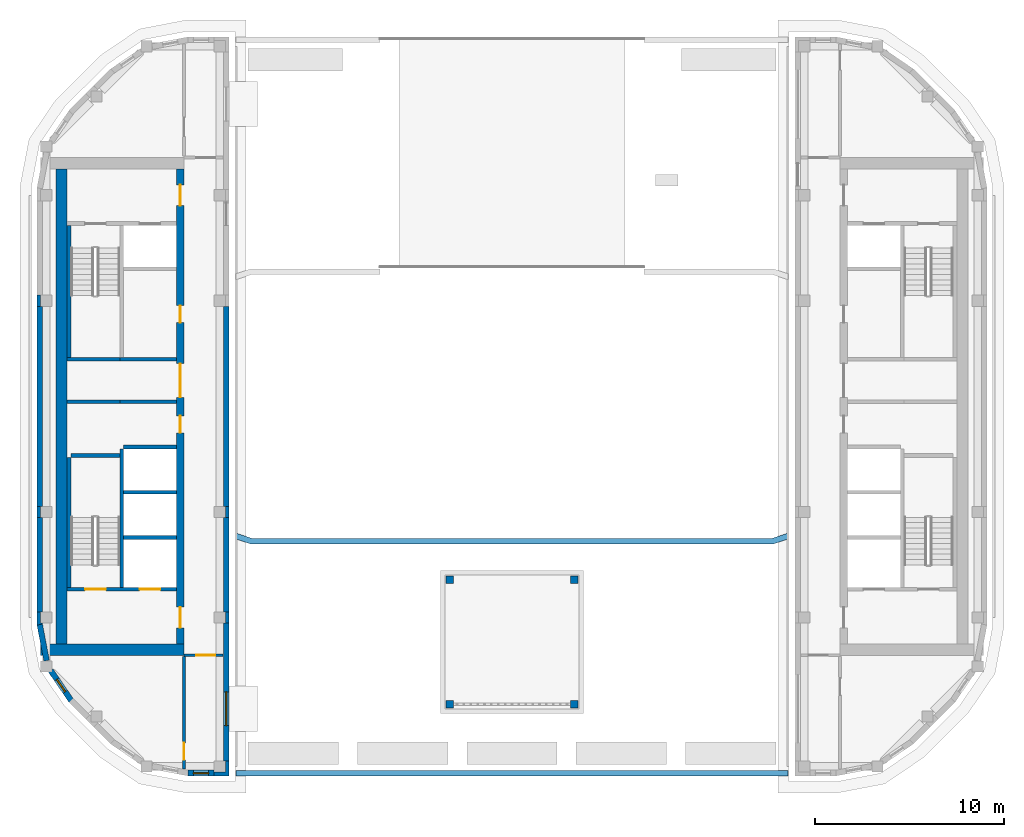
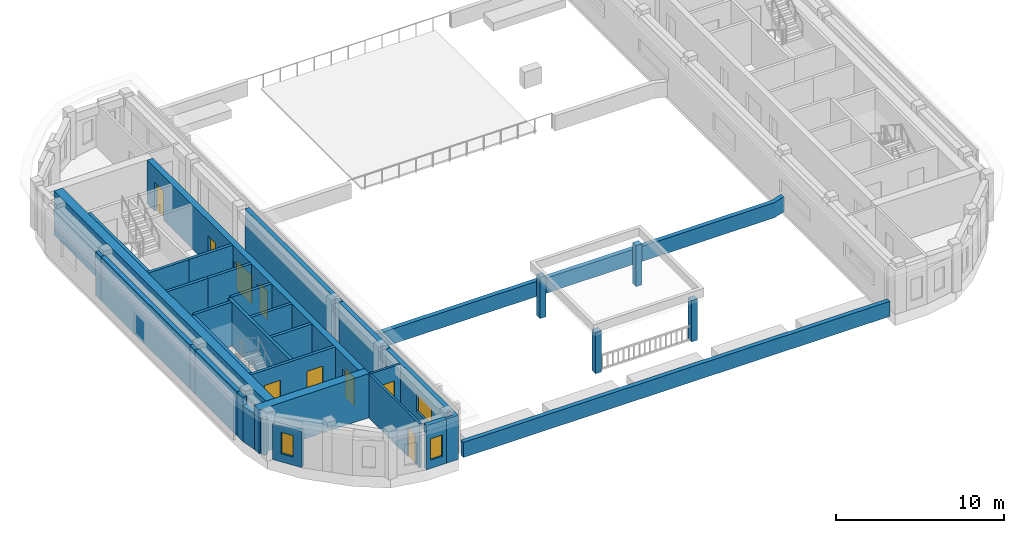
# One storey, part 2 of 14: 37 walls, 9 doors, 3 windows, 12 openings.
"""IFC4 building model written with IfcOpenShell, lengths in metres."""

from ifc_helpers import new_model, si_unit, direction, frame, frame_2d, origin, place, context, subcontext, project, spatial, polyline, rectangle, outline, extrude, material, layer, layer_set, type_object, element, fill, save


model = new_model("IFC4")

# Units and contexts
model_context = context("Model", 3, precision=1e-05, world=origin(), true_north=direction((0.0, 1.0)))
body_context = subcontext(model_context, "Body", "Model", "MODEL_VIEW")
ifc_project = project(units=[si_unit("LENGTHUNIT", "METRE"), si_unit("AREAUNIT", "SQUARE_METRE"), si_unit("VOLUMEUNIT", "CUBIC_METRE"), si_unit("PLANEANGLEUNIT", "RADIAN"), si_unit("MASSUNIT", "GRAM", prefix="KILO")], contexts=[model_context])

# Site, building, storey
site_placement = place(None, origin())
site = spatial("IfcSite", under=ifc_project, at=site_placement, CompositionType="ELEMENT")
building_placement = place(site_placement, origin())
building = spatial("IfcBuilding", under=site, at=building_placement, Name="Kiln Ring Residences", CompositionType="ELEMENT")
storey_placement = place(building_placement, frame((0.0, 0.0, 299.89990234375)))
storey = spatial("IfcBuildingStorey", under=building, at=storey_placement, Name="L77 Crown", CompositionType="ELEMENT", Elevation=299.89990234375)

# Walls
ifc_material_1 = material(Name="Brick masonry, dark clay brick", Category="masonry")
ifc_layer_1 = layer(ifc_material_1, 0.39990234375)
ifc_layer_set_1 = layer_set([ifc_layer_1], Name="CHHATRI POST 400")
wall_type_1 = type_object("IfcWallType", Name="CHHATRI POST 400", PredefinedType="SOLIDWALL", material=ifc_layer_set_1)
placement = place(storey_placement, origin())
element("IfcWall", 1, at=placement, inside=storey, type_object=wall_type_1, Name="CHHATRI POST L77 Crown", PredefinedType="SOLIDWALL", context=body_context, shape_type="SweptSolid", body=[
    extrude(outline(polyline([(-3.10009765625, -16.0), (-3.10009765625, -15.60009765625), (-3.5, -15.60009765625), (-3.5, -16.0), (-3.10009765625, -16.0)])), origin(), (0.0, 0.0, 1.0), 3.0),
])
element("IfcWall", 2, at=placement, inside=storey, type_object=wall_type_1, Name="CHHATRI POST L77 Crown", PredefinedType="SOLIDWALL", context=body_context, shape_type="SweptSolid", body=[
    extrude(outline(polyline([(3.5, -16.0), (3.5, -15.60009765625), (3.10009765625, -15.60009765625), (3.10009765625, -16.0), (3.5, -16.0)])), origin(), (0.0, 0.0, 1.0), 3.0),
])
element("IfcWall", 3, at=placement, inside=storey, type_object=wall_type_1, Name="CHHATRI POST L77 Crown", PredefinedType="SOLIDWALL", context=body_context, shape_type="SweptSolid", body=[
    extrude(outline(polyline([(3.5, -9.39990234375), (3.5, -9.0), (3.10009765625, -9.0), (3.10009765625, -9.39990234375), (3.5, -9.39990234375)])), origin(), (0.0, 0.0, 1.0), 3.0),
])
element("IfcWall", 4, at=placement, inside=storey, type_object=wall_type_1, Name="CHHATRI POST L77 Crown", PredefinedType="SOLIDWALL", context=body_context, shape_type="SweptSolid", body=[
    extrude(outline(polyline([(-3.10009765625, -9.39990234375), (-3.10009765625, -9.0), (-3.5, -9.0), (-3.5, -9.39990234375), (-3.10009765625, -9.39990234375)])), origin(), (0.0, 0.0, 1.0), 3.0),
])
ifc_material_2 = material(Name="Gypsum board on steel studs", Category="steel")
ifc_layer_2 = layer(ifc_material_2, 0.199951171875)
ifc_layer_set_2 = layer_set([ifc_layer_2], Name="CORE-PARTITION-200")
wall_type_2 = type_object("IfcWallType", Name="CORE-PARTITION-200", PredefinedType="PARTITIONING", material=ifc_layer_set_2)
wall_5_placement = place(storey_placement, frame((-20.800048828125, 0.25, 0.0), z_axis=(0.0, 0.0, 1.0), x_axis=(-1.0, 0.0, 0.0)))
element("IfcWall", 5, at=wall_5_placement, inside=storey, type_object=wall_type_2, Name="Core partition west L77 Crown 1", PredefinedType="PARTITIONING", context=body_context, shape_type="SweptSolid", body=[
    extrude(rectangle(XDim=2.800048828125, YDim=0.199951171875, at=frame_2d((1.39990234375, 0.0))), origin(), (0.0, 0.0, 1.0), 3.2001953125),
])
ifc_material_3 = material(Name="Gypsum shaft wall system")
ifc_layer_3 = layer(ifc_material_3, 0.199951171875)
ifc_layer_set_3 = layer_set([ifc_layer_3], Name="CORE-SHAFT-WALL-200")
wall_type_3 = type_object("IfcWallType", Name="CORE-SHAFT-WALL-200", PredefinedType="PARTITIONING", material=ifc_layer_set_3)
for number, where, z_axis, x_axis, name in (
    (6, (-17.800048828125, -6.949951171875, 0.0), (0.0, 0.0, 1.0), (-1.0, 0.0, 0.0), "Core partition west L77 Crown 2"),
    (7, (-17.800048828125, -4.550048828125, 0.0), (0.0, 0.0, 1.0), (-1.0, 0.0, 0.0), "Core partition west L77 Crown 3"),
    (8, (-17.800048828125, -2.14990234375, 0.0), (0.0, 0.0, 1.0), (-1.0, 0.0, 0.0), "Core partition west L77 Crown 4"),
):
    element("IfcWall", number, at=place(storey_placement, frame(where, z_axis=z_axis, x_axis=x_axis)), inside=storey, type_object=wall_type_3, Name=name, PredefinedType="PARTITIONING", context=body_context, shape_type="SweptSolid", body=[
        extrude(rectangle(XDim=2.800048828125, YDim=0.199951171875, at=frame_2d((1.39990234375, 0.0))), origin(), (0.0, 0.0, 1.0), 3.2001953125),
    ])
for number, where, z_axis, x_axis, name in (
    (9, (-17.800048828125, 0.25, 0.0), (0.0, 0.0, 1.0), (-1.0, 0.0, 0.0), "Core partition west L77 Crown 5"),
    (10, (-17.800048828125, 2.5, 0.0), (0.0, 0.0, 1.0), (-1.0, 0.0, 0.0), "Core partition west L77 Crown 6"),
):
    element("IfcWall", number, at=place(storey_placement, frame(where, z_axis=z_axis, x_axis=x_axis)), inside=storey, type_object=wall_type_3, Name=name, PredefinedType="PARTITIONING", context=body_context, shape_type="SweptSolid", body=[
        extrude(rectangle(XDim=3.0, YDim=0.199951171875, at=frame_2d((1.5, 0.0))), origin(), (0.0, 0.0, 1.0), 3.2001953125),
    ])
ifc_material_4 = material(Name="Concrete C40/50", Category="concrete")
ifc_layer_4 = layer(ifc_material_4, 0.199951171875)
ifc_layer_set_4 = layer_set([ifc_layer_4], Name="CORE-WALL-RC200")
wall_type_4 = type_object("IfcWallType", Name="CORE-WALL-RC200", PredefinedType="SHEAR", material=ifc_layer_set_4)
wall_6_placement = place(storey_placement, frame((-20.699951171875, -9.60009765625, 0.0), z_axis=(0.0, 0.0, 1.0), x_axis=(0.0, 1.0, 0.0)))
element("IfcWall", 11, at=wall_6_placement, inside=storey, type_object=wall_type_4, Name="Core wall west L77 Crown 2", PredefinedType="SHEAR", context=body_context, shape_type="SweptSolid", body=[
    extrude(rectangle(XDim=7.35009765625, YDim=0.199951171875, at=frame_2d((3.675048828125, 0.0))), origin(), (0.0, 0.0, 1.0), 3.2001953125),
])
wall_7_placement = place(storey_placement, frame((-20.800048828125, 2.5, 0.0), z_axis=(0.0, 0.0, 1.0), x_axis=(-1.0, 0.0, 0.0)))
element("IfcWall", 12, at=wall_7_placement, inside=storey, type_object=wall_type_4, Name="Core wall west L77 Crown 3", PredefinedType="SHEAR", context=body_context, shape_type="SweptSolid", body=[
    extrude(rectangle(XDim=2.800048828125, YDim=0.199951171875, at=frame_2d((1.39990234375, 0.0))), origin(), (0.0, 0.0, 1.0), 3.2001953125),
])

# Wall, openings, doors
wall_8_placement = place(storey_placement, frame((-17.800048828125, -9.699951171875, 0.0), z_axis=(0.0, 0.0, 1.0), x_axis=(-1.0, 0.0, 0.0)))
wall_8 = element("IfcWall", 13, at=wall_8_placement, inside=storey, type_object=wall_type_4, Name="Core wall west L77 Crown 8", PredefinedType="SHEAR", context=body_context, shape_type="SweptSolid", body=[
    extrude(rectangle(XDim=5.800048828125, YDim=0.199951171875, at=frame_2d((2.89990234375, 0.0))), origin(), (0.0, 0.0, 1.0), 3.2001953125),
])
opening_1_placement = place(wall_8_placement, frame((0.85009765625, 0.0, 0.0)))
opening_1 = element("IfcOpeningElement", 14, at=opening_1_placement, cuts=wall_8, Name="Opening L77-CW01", PredefinedType="OPENING", context=body_context, shape_type="SweptSolid", body=[
    extrude(rectangle(XDim=1.10009765625, YDim=2.10009765625, at=frame_2d((0.550048828125, 1.050048828125))), frame((0.0, 0.10986328125, 0.0), z_axis=(0.0, -1.0, 0.0), x_axis=(1.0, 0.0, 0.0)), (0.0, 0.0, 1.0), 0.219970703125),
])
opening_2_placement = place(wall_8_placement, frame((3.75, 0.0, 0.0)))
opening_2 = element("IfcOpeningElement", 15, at=opening_2_placement, cuts=wall_8, Name="Opening L77-CW08", PredefinedType="OPENING", context=body_context, shape_type="SweptSolid", body=[
    extrude(rectangle(XDim=1.10009765625, YDim=2.10009765625, at=frame_2d((0.550048828125, 1.050048828125))), frame((0.0, 0.10986328125, 0.0), z_axis=(0.0, -1.0, 0.0), x_axis=(1.0, 0.0, 0.0)), (0.0, 0.0, 1.0), 0.219970703125),
])
ifc_material_5 = material(Name="Steel door leaf", Category="steel")
door_type_1 = type_object("IfcDoorType", Name="CORE-DOOR-LD", OperationType="DOUBLE_DOOR_SLIDING", PredefinedType="DOOR", material=ifc_material_5)
door_1_placement = place(opening_1_placement, origin())
door_1 = element("IfcDoor", 16, at=door_1_placement, inside=storey, type_object=door_type_1, Name="LD W-SV L77-CW01", OperationType="DOUBLE_DOOR_SLIDING", OverallHeight=2.10009765625, OverallWidth=1.10009765625, PredefinedType="DOOR", context=body_context, shape_type="SweptSolid", body=[
    extrude(rectangle(XDim=1.10009765625, YDim=2.10009765625, at=frame_2d((0.550048828125, 1.050048828125))), frame((0.0, 0.02490234375, 0.0), z_axis=(0.0, -1.0, 0.0), x_axis=(1.0, 0.0, 0.0)), (0.0, 0.0, 1.0), 0.050048828125),
])
fill(opening_1, door_1)
ifc_material_6 = material(Name="Steel door leaf", Category="steel")
door_type_2 = type_object("IfcDoorType", Name="CORE-DOOR-STAIR", OperationType="SINGLE_SWING_LEFT", PredefinedType="DOOR", material=ifc_material_6)
door_2_placement = place(opening_2_placement, origin())
door_2 = element("IfcDoor", 17, at=door_2_placement, inside=storey, type_object=door_type_2, Name="Stair W-STS L77-CW08", OperationType="SINGLE_SWING_LEFT", OverallHeight=2.10009765625, OverallWidth=1.10009765625, PredefinedType="DOOR", context=body_context, shape_type="SweptSolid", body=[
    extrude(rectangle(XDim=1.10009765625, YDim=2.10009765625, at=frame_2d((0.550048828125, 1.050048828125))), frame((0.0, 0.02490234375, 0.0), z_axis=(0.0, -1.0, 0.0), x_axis=(1.0, 0.0, 0.0)), (0.0, 0.0, 1.0), 0.050048828125),
])
fill(opening_2, door_2)

# Walls
wall_9_placement = place(storey_placement, frame((-23.5, 2.60009765625, 0.0), z_axis=(0.0, 0.0, 1.0), x_axis=(0.0, 1.0, 0.0)))
element("IfcWall", 18, at=wall_9_placement, inside=storey, type_object=wall_type_4, Name="Core wall west L77 Crown 10", PredefinedType="SHEAR", context=body_context, shape_type="SweptSolid", body=[
    extrude(rectangle(XDim=7.0, YDim=0.199951171875, at=frame_2d((3.5, 0.0))), origin(), (0.0, 0.0, 1.0), 3.2001953125),
])
wall_10_placement = place(storey_placement, frame((-23.5, -9.60009765625, 0.0), z_axis=(0.0, 0.0, 1.0), x_axis=(0.0, 1.0, 0.0)))
element("IfcWall", 19, at=wall_10_placement, inside=storey, type_object=wall_type_4, Name="Core wall west L77 Crown 11", PredefinedType="SHEAR", context=body_context, shape_type="SweptSolid", body=[
    extrude(rectangle(XDim=6.900146484375, YDim=0.199951171875, at=frame_2d((3.4501953125, 0.0))), origin(), (0.0, 0.0, 1.0), 3.2001953125),
])
wall_11_placement = place(storey_placement, frame((-20.800048828125, -2.60009765625, 0.0), z_axis=(0.0, 0.0, 1.0), x_axis=(-1.0, 0.0, 0.0)))
element("IfcWall", 20, at=wall_11_placement, inside=storey, type_object=wall_type_4, Name="Core wall west L77 Crown 12", PredefinedType="SHEAR", context=body_context, shape_type="SweptSolid", body=[
    extrude(rectangle(XDim=2.599853515625, YDim=0.199951171875, at=frame_2d((1.2998046875, 0.0))), origin(), (0.0, 0.0, 1.0), 3.2001953125),
])

# Wall, openings, doors
ifc_material_7 = material(Name="Concrete C60/75", Category="concrete")
ifc_layer_5 = layer(ifc_material_7, 0.39990234375)
ifc_layer_set_5 = layer_set([ifc_layer_5], Name="CORE-WALL-RC400")
wall_type_5 = type_object("IfcWallType", Name="CORE-WALL-RC400", PredefinedType="SHEAR", material=ifc_layer_set_5)
wall_12_placement = place(storey_placement, frame((-17.60009765625, -12.60009765625, 0.0), z_axis=(0.0, 0.0, 1.0), x_axis=(0.0, 1.0, 0.0)))
wall_12 = element("IfcWall", 21, at=wall_12_placement, inside=storey, type_object=wall_type_5, Name="Core wall west L77 Crown 6", PredefinedType="SHEAR", context=body_context, shape_type="SweptSolid", body=[
    extrude(rectangle(XDim=25.2001953125, YDim=0.39990234375, at=frame_2d((12.60009765625, 0.0))), origin(), (0.0, 0.0, 1.0), 3.2001953125),
])
opening_3_placement = place(wall_12_placement, frame((11.199951171875, 0.0, 0.0)))
opening_3 = element("IfcOpeningElement", 22, at=opening_3_placement, cuts=wall_12, Name="Opening L77-CW02", PredefinedType="OPENING", context=body_context, shape_type="SweptSolid", body=[
    extrude(rectangle(XDim=0.89990234375, YDim=2.10009765625, at=frame_2d((0.449951171875, 1.050048828125))), frame((0.0, 0.2099609375, 0.0), z_axis=(0.0, -1.0, 0.0), x_axis=(1.0, 0.0, 0.0)), (0.0, 0.0, 1.0), 0.419921875),
])
opening_4_placement = place(wall_12_placement, frame((17.050048828125, 0.0, 0.0)))
opening_4 = element("IfcOpeningElement", 23, at=opening_4_placement, cuts=wall_12, Name="Opening L77-CW03", PredefinedType="OPENING", context=body_context, shape_type="SweptSolid", body=[
    extrude(rectangle(XDim=0.89990234375, YDim=2.10009765625, at=frame_2d((0.449951171875, 1.050048828125))), frame((0.0, 0.2099609375, 0.0), z_axis=(0.0, -1.0, 0.0), x_axis=(1.0, 0.0, 0.0)), (0.0, 0.0, 1.0), 0.419921875),
])
opening_5_placement = place(wall_12_placement, frame((23.25, 0.0, 0.0)))
opening_5 = element("IfcOpeningElement", 24, at=opening_5_placement, cuts=wall_12, Name="Opening L77-CW05", PredefinedType="OPENING", context=body_context, shape_type="SweptSolid", body=[
    extrude(rectangle(XDim=1.10009765625, YDim=2.10009765625, at=frame_2d((0.550048828125, 1.050048828125))), frame((0.0, 0.2099609375, 0.0), z_axis=(0.0, -1.0, 0.0), x_axis=(1.0, 0.0, 0.0)), (0.0, 0.0, 1.0), 0.419921875),
])
opening_6_placement = place(wall_12_placement, frame((0.85009765625, 0.0, 0.0)))
opening_6 = element("IfcOpeningElement", 25, at=opening_6_placement, cuts=wall_12, Name="Opening L77-CW06", PredefinedType="OPENING", context=body_context, shape_type="SweptSolid", body=[
    extrude(rectangle(XDim=1.10009765625, YDim=2.10009765625, at=frame_2d((0.550048828125, 1.050048828125))), frame((0.0, 0.2099609375, 0.0), z_axis=(0.0, -1.0, 0.0), x_axis=(1.0, 0.0, 0.0)), (0.0, 0.0, 1.0), 0.419921875),
])
opening_7_placement = place(wall_12_placement, frame((13.074951171875, 0.0, 0.0)))
opening_7 = element("IfcOpeningElement", 26, at=opening_7_placement, cuts=wall_12, Name="Opening L77-CW09", PredefinedType="OPENING", context=body_context, shape_type="SweptSolid", body=[
    extrude(rectangle(XDim=1.800048828125, YDim=2.10009765625, at=frame_2d((0.89990234375, 1.050048828125))), frame((0.0, 0.2099609375, 0.0), z_axis=(0.0, -1.0, 0.0), x_axis=(1.0, 0.0, 0.0)), (0.0, 0.0, 1.0), 0.419921875),
])
ifc_material_8 = material(Name="Steel door leaf", Category="steel")
door_type_3 = type_object("IfcDoorType", Name="CORE-DOOR-LOBBY", OperationType="SINGLE_SWING_LEFT", PredefinedType="DOOR", material=ifc_material_8)
door_3_placement = place(opening_5_placement, origin())
door_3 = element("IfcDoor", 27, at=door_3_placement, inside=storey, type_object=door_type_3, Name="FFL L77-CW05", OperationType="SINGLE_SWING_RIGHT", OverallHeight=2.10009765625, OverallWidth=1.10009765625, PredefinedType="DOOR", context=body_context, shape_type="SweptSolid", body=[
    extrude(rectangle(XDim=1.10009765625, YDim=2.10009765625, at=frame_2d((0.550048828125, 1.050048828125))), frame((0.0, 0.02490234375, 0.0), z_axis=(0.0, -1.0, 0.0), x_axis=(1.0, 0.0, 0.0)), (0.0, 0.0, 1.0), 0.050048828125),
])
fill(opening_5, door_3)
door_4_placement = place(opening_6_placement, origin())
door_4 = element("IfcDoor", 28, at=door_4_placement, inside=storey, type_object=door_type_3, Name="SVL L77-CW06", OperationType="SINGLE_SWING_LEFT", OverallHeight=2.10009765625, OverallWidth=1.10009765625, PredefinedType="DOOR", context=body_context, shape_type="SweptSolid", body=[
    extrude(rectangle(XDim=1.10009765625, YDim=2.10009765625, at=frame_2d((0.550048828125, 1.050048828125))), frame((0.0, 0.02490234375, 0.0), z_axis=(0.0, -1.0, 0.0), x_axis=(1.0, 0.0, 0.0)), (0.0, 0.0, 1.0), 0.050048828125),
])
fill(opening_6, door_4)
ifc_material_9 = material(Name="Steel door leaf", Category="steel")
door_type_4 = type_object("IfcDoorType", Name="CORE-DOOR-PASS", OperationType="DOUBLE_DOOR_SINGLE_SWING", PredefinedType="DOOR", material=ifc_material_9)
door_5_placement = place(opening_7_placement, origin())
door_5 = element("IfcDoor", 29, at=door_5_placement, inside=storey, type_object=door_type_4, Name="Core passage L77-CW09", OperationType="DOUBLE_DOOR_SINGLE_SWING", OverallHeight=2.10009765625, OverallWidth=1.800048828125, PredefinedType="DOOR", context=body_context, shape_type="SweptSolid", body=[
    extrude(rectangle(XDim=1.800048828125, YDim=2.10009765625, at=frame_2d((0.89990234375, 1.050048828125))), frame((0.0, 0.02490234375, 0.0), z_axis=(0.0, -1.0, 0.0), x_axis=(1.0, 0.0, 0.0)), (0.0, 0.0, 1.0), 0.050048828125),
])
fill(opening_7, door_5)
ifc_material_10 = material(Name="Steel door leaf", Category="steel")
door_type_5 = type_object("IfcDoorType", Name="CORE-DOOR-ROOM", OperationType="SINGLE_SWING_LEFT", PredefinedType="DOOR", material=ifc_material_10)
door_6_placement = place(opening_3_placement, origin())
door_6 = element("IfcDoor", 30, at=door_6_placement, inside=storey, type_object=door_type_5, Name="Store L77-CW02", OperationType="SINGLE_SWING_RIGHT", OverallHeight=2.10009765625, OverallWidth=0.89990234375, PredefinedType="DOOR", context=body_context, shape_type="SweptSolid", body=[
    extrude(rectangle(XDim=0.89990234375, YDim=2.10009765625, at=frame_2d((0.449951171875, 1.050048828125))), frame((0.0, 0.02490234375, 0.0), z_axis=(0.0, -1.0, 0.0), x_axis=(1.0, 0.0, 0.0)), (0.0, 0.0, 1.0), 0.050048828125),
])
fill(opening_3, door_6)
door_7_placement = place(opening_4_placement, origin())
door_7 = element("IfcDoor", 31, at=door_7_placement, inside=storey, type_object=door_type_5, Name="Housekeeping store L77-CW03", OperationType="SINGLE_SWING_LEFT", OverallHeight=2.10009765625, OverallWidth=0.89990234375, PredefinedType="DOOR", context=body_context, shape_type="SweptSolid", body=[
    extrude(rectangle(XDim=0.89990234375, YDim=2.10009765625, at=frame_2d((0.449951171875, 1.050048828125))), frame((0.0, 0.02490234375, 0.0), z_axis=(0.0, -1.0, 0.0), x_axis=(1.0, 0.0, 0.0)), (0.0, 0.0, 1.0), 0.050048828125),
])
fill(opening_4, door_7)

# Walls
ifc_material_11 = material(Name="Concrete C60/75", Category="concrete")
ifc_layer_6 = layer(ifc_material_11, 0.60009765625)
ifc_layer_set_6 = layer_set([ifc_layer_6], Name="CORE-WALL-RC600")
wall_type_6 = type_object("IfcWallType", Name="CORE-WALL-RC600", PredefinedType="SHEAR", material=ifc_layer_set_6)
wall_13_placement = place(storey_placement, frame((-17.39990234375, -12.89990234375, 0.0), z_axis=(0.0, 0.0, 1.0), x_axis=(-1.0, 0.0, 0.0)))
element("IfcWall", 32, at=wall_13_placement, inside=storey, type_object=wall_type_6, Name="Core wall west L77 Crown 5", PredefinedType="SHEAR", context=body_context, shape_type="SweptSolid", body=[
    extrude(rectangle(XDim=7.60009765625, YDim=0.60009765625, at=frame_2d((3.800048828125, 0.0))), origin(), (0.0, 0.0, 1.0), 3.2001953125),
])
wall_14_placement = place(storey_placement, frame((-23.89990234375, -12.60009765625, 0.0), z_axis=(0.0, 0.0, 1.0), x_axis=(0.0, 1.0, 0.0)))
element("IfcWall", 33, at=wall_14_placement, inside=storey, type_object=wall_type_6, Name="Core wall west L77 Crown 7", PredefinedType="SHEAR", context=body_context, shape_type="SweptSolid", body=[
    extrude(rectangle(XDim=25.2001953125, YDim=0.60009765625, at=frame_2d((12.60009765625, 0.0))), origin(), (0.0, 0.0, 1.0), 3.2001953125),
])

# Wall, opening, window
ifc_material_12 = material(Name="Brick masonry, dark clay brick", Category="masonry")
ifc_layer_7 = layer(ifc_material_12, 0.300048828125)
ifc_layer_set_7 = layer_set([ifc_layer_7], Name="EW-300 BRICK WALL")
wall_type_7 = type_object("IfcWallType", Name="EW-300 BRICK WALL", PredefinedType="SOLIDWALL", material=ifc_layer_set_7)
wall_15_placement = place(storey_placement, frame((-17.199951171875, -19.449951171875, 0.0), z_axis=(0.0, 0.0, 1.0), x_axis=(1.0, 0.0, 0.0)))
wall_15 = element("IfcWall", 34, at=wall_15_placement, inside=storey, type_object=wall_type_7, Name="Facade wall L77 Crown 3", PredefinedType="SOLIDWALL", context=body_context, shape_type="SweptSolid", body=[
    extrude(rectangle(XDim=1.39990234375, YDim=0.300048828125, at=frame_2d((0.699951171875, 0.0))), origin(), (0.0, 0.0, 1.0), 3.2001953125),
])
opening_8_placement = place(wall_15_placement, frame((0.300048828125, 0.0, 0.60009765625)))
opening_8 = element("IfcOpeningElement", 35, at=opening_8_placement, cuts=wall_15, Name="Opening W5", PredefinedType="OPENING", context=body_context, shape_type="SweptSolid", body=[
    extrude(rectangle(XDim=0.800048828125, YDim=1.550048828125, at=frame_2d((0.39990234375, 0.77490234375))), frame((0.0, 0.159912109375, 0.0), z_axis=(0.0, -1.0, 0.0), x_axis=(1.0, 0.0, 0.0)), (0.0, 0.0, 1.0), 0.320068359375),
])
ifc_material_13 = material(Name="Aluminium frame with double glazing", Category="aluminium")
window_type_1 = type_object("IfcWindowType", Name="WINDOW 800 x 1550", PartitioningType="SINGLE_PANEL", PredefinedType="WINDOW", material=ifc_material_13)
window_1_placement = place(opening_8_placement, origin())
window_1 = element("IfcWindow", 36, at=window_1_placement, inside=storey, type_object=window_type_1, Name="Window L77 Crown 3", OverallHeight=1.550048828125, OverallWidth=0.800048828125, PartitioningType="SINGLE_PANEL", PredefinedType="WINDOW", context=body_context, shape_type="SweptSolid", body=[
    extrude(rectangle(XDim=0.800048828125, YDim=1.550048828125, at=frame_2d((0.39990234375, 0.77490234375))), frame((0.0, 0.030029296875, 0.0), z_axis=(0.0, -1.0, 0.0), x_axis=(1.0, 0.0, 0.0)), (0.0, 0.0, 1.0), 0.06005859375),
])
fill(opening_8, window_1)

wall_16_placement = place(storey_placement, frame((-15.14990234375, -18.800048828125, 0.0), z_axis=(0.0, 0.0, 1.0), x_axis=(0.0, 1.0, 0.0)))
wall_16 = element("IfcWall", 37, at=wall_16_placement, inside=storey, type_object=wall_type_7, Name="Facade wall L77 Crown 4", PredefinedType="SOLIDWALL", context=body_context, shape_type="SweptSolid", body=[
    extrude(rectangle(XDim=7.300048828125, YDim=0.300048828125, at=frame_2d((3.64990234375, 0.0))), origin(), (0.0, 0.0, 1.0), 3.2001953125),
])
opening_9_placement = place(wall_16_placement, frame((1.862548828125, 0.0, 0.89990234375)))
opening_9 = element("IfcOpeningElement", 38, at=opening_9_placement, cuts=wall_16, Name="Opening W2", PredefinedType="OPENING", context=body_context, shape_type="SweptSolid", body=[
    extrude(rectangle(XDim=1.800048828125, YDim=1.25, at=frame_2d((0.89990234375, 0.625))), frame((0.0, 0.159912109375, 0.0), z_axis=(0.0, -1.0, 0.0), x_axis=(1.0, 0.0, 0.0)), (0.0, 0.0, 1.0), 0.320068359375),
])
ifc_material_14 = material(Name="Aluminium frame with double glazing", Category="aluminium")
window_type_2 = type_object("IfcWindowType", Name="WINDOW 1800 x 1250", PartitioningType="SINGLE_PANEL", PredefinedType="WINDOW", material=ifc_material_14)
window_2_placement = place(opening_9_placement, origin())
window_2 = element("IfcWindow", 39, at=window_2_placement, inside=storey, type_object=window_type_2, Name="Window L77 Crown 4", OverallHeight=1.25, OverallWidth=1.800048828125, PartitioningType="SINGLE_PANEL", PredefinedType="WINDOW", context=body_context, shape_type="SweptSolid", body=[
    extrude(rectangle(XDim=1.800048828125, YDim=1.25, at=frame_2d((0.89990234375, 0.625))), frame((0.0, 0.030029296875, 0.0), z_axis=(0.0, -1.0, 0.0), x_axis=(1.0, 0.0, 0.0)), (0.0, 0.0, 1.0), 0.06005859375),
])
fill(opening_9, window_2)

# Walls
wall_17_placement = place(storey_placement, frame((-15.14990234375, -10.89990234375, 0.0), z_axis=(0.0, 0.0, 1.0), x_axis=(0.0, 1.0, 0.0)))
element("IfcWall", 40, at=wall_17_placement, inside=storey, type_object=wall_type_7, Name="Facade wall L77 Crown 5", PredefinedType="SOLIDWALL", context=body_context, shape_type="SweptSolid", body=[
    extrude(rectangle(XDim=5.0, YDim=0.300048828125, at=frame_2d((2.5, 0.0))), origin(), (0.0, 0.0, 1.0), 3.2001953125),
])
for number, where, z_axis, x_axis, name in (
    (41, (-15.14990234375, -5.300048828125, 0.0), (0.0, 0.0, 1.0), (0.0, 1.0, 0.0), "Facade wall L77 Crown 6"),
    (42, (-25.050048828125, 5.300048828125, 0.0), (0.0, 0.0, 1.0), (0.0, -1.0, 0.0), "Facade wall L77 Crown 17"),
):
    element("IfcWall", number, at=place(storey_placement, frame(where, z_axis=z_axis, x_axis=x_axis)), inside=storey, type_object=wall_type_7, Name=name, PredefinedType="SOLIDWALL", context=body_context, shape_type="SweptSolid", body=[
        extrude(rectangle(XDim=10.60009765625, YDim=0.300048828125, at=frame_2d((5.300048828125, 0.0))), origin(), (0.0, 0.0, 1.0), 3.2001953125),
    ])
wall_18_placement = place(storey_placement, frame((-25.050048828125, -5.89990234375, 0.0), z_axis=(0.0, 0.0, 1.0), x_axis=(0.0, -1.0, 0.0)))
element("IfcWall", 43, at=wall_18_placement, inside=storey, type_object=wall_type_7, Name="Facade wall L77 Crown 18", PredefinedType="SOLIDWALL", context=body_context, shape_type="SweptSolid", body=[
    extrude(rectangle(XDim=5.0, YDim=0.300048828125, at=frame_2d((2.5, 0.0))), origin(), (0.0, 0.0, 1.0), 3.2001953125),
])
wall_19_placement = place(storey_placement, frame((-25.052490234375, -11.57275390625, 0.0), z_axis=(0.0, 0.0, 1.0), x_axis=(0.187354129902, -0.982292436095, 0.0)))
element("IfcWall", 44, at=wall_19_placement, inside=storey, type_object=wall_type_7, Name="Facade wall L77 Crown 19", PredefinedType="SOLIDWALL", context=body_context, shape_type="SweptSolid", body=[
    extrude(rectangle(XDim=1.94677734375, YDim=0.300048828125, at=frame_2d((0.973388671875, 0.0))), origin(), (0.0, 0.0, 1.0), 2.60009765625),
])

# Wall, opening, window
wall_20_placement = place(storey_placement, frame((-24.4736328125, -14.001708984375, 0.0), z_axis=(0.0, 0.0, 1.0), x_axis=(0.562025435703, -0.827119948752, 0.0)))
wall_20 = element("IfcWall", 45, at=wall_20_placement, inside=storey, type_object=wall_type_7, Name="Facade wall L77 Crown 20", PredefinedType="SOLIDWALL", context=body_context, shape_type="SweptSolid", body=[
    extrude(rectangle(XDim=1.94775390625, YDim=0.300048828125, at=frame_2d((0.973876953125, 0.0))), origin(), (0.0, 0.0, 1.0), 2.60009765625),
])
opening_10_placement = place(wall_20_placement, frame((0.573974609375, 0.0, 0.60009765625)))
opening_10 = element("IfcOpeningElement", 46, at=opening_10_placement, cuts=wall_20, Name="Opening W5", PredefinedType="OPENING", context=body_context, shape_type="SweptSolid", body=[
    extrude(rectangle(XDim=0.800048828125, YDim=1.550048828125, at=frame_2d((0.39990234375, 0.77490234375))), frame((0.0, 0.159912109375, 0.0), z_axis=(0.0, -1.0, 0.0), x_axis=(1.0, 0.0, 0.0)), (0.0, 0.0, 1.0), 0.320068359375),
])
window_3_placement = place(opening_10_placement, origin())
window_3 = element("IfcWindow", 47, at=window_3_placement, inside=storey, type_object=window_type_1, Name="Window L77 Crown 10", OverallHeight=1.550048828125, OverallWidth=0.800048828125, PartitioningType="SINGLE_PANEL", PredefinedType="WINDOW", context=body_context, shape_type="SweptSolid", body=[
    extrude(rectangle(XDim=0.800048828125, YDim=1.550048828125, at=frame_2d((0.39990234375, 0.77490234375))), frame((0.0, 0.030029296875, 0.0), z_axis=(0.0, -1.0, 0.0), x_axis=(1.0, 0.0, 0.0)), (0.0, 0.0, 1.0), 0.06005859375),
])
fill(opening_10, window_3)

# Walls
element("IfcWall", 48, at=placement, inside=storey, type_object=wall_type_7, Name="Corner wall L77 Crown 1", PredefinedType="SOLIDWALL", context=body_context, shape_type="SweptSolid", body=[
    extrude(outline(polyline([(-25.199951171875, -10.89990234375), (-25.199951171875, -11.600830078125), (-24.9033203125, -11.544189453125), (-24.89990234375, -11.56103515625), (-24.89990234375, -11.5), (-25.0, -11.5), (-25.0, -10.89990234375), (-25.199951171875, -10.89990234375)])), origin(), (0.0, 0.0, 1.0), 3.2001953125),
])
element("IfcWall", 49, at=placement, inside=storey, type_object=wall_type_7, Name="Corner wall L77 Crown 2", PredefinedType="SOLIDWALL", context=body_context, shape_type="SweptSolid", body=[
    extrude(outline(polyline([(-25.0, -5.300048828125), (-25.199951171875, -5.300048828125), (-25.199951171875, -5.89990234375), (-24.89990234375, -5.89990234375), (-25.0, -5.89990234375), (-25.0, -5.300048828125)])), origin(), (0.0, 0.0, 1.0), 3.2001953125),
])
element("IfcWall", 50, at=placement, inside=storey, type_object=wall_type_7, Name="Corner wall L77 Crown 3", PredefinedType="SOLIDWALL", context=body_context, shape_type="SweptSolid", body=[
    extrude(outline(polyline([(-25.0, 5.89990234375), (-25.199951171875, 5.89990234375), (-25.199951171875, 5.300048828125), (-25.0, 5.300048828125), (-25.0, 5.89990234375)])), origin(), (0.0, 0.0, 1.0), 3.2001953125),
])
element("IfcWall", 51, at=placement, inside=storey, type_object=wall_type_7, Name="Corner wall L77 Crown 9", PredefinedType="SOLIDWALL", context=body_context, shape_type="SweptSolid", body=[
    extrude(outline(polyline([(-15.300048828125, -5.89990234375), (-15.0, -5.89990234375), (-15.0, -5.300048828125), (-15.300048828125, -5.300048828125), (-15.199951171875, -5.300048828125), (-15.199951171875, -5.89990234375), (-15.300048828125, -5.89990234375)])), origin(), (0.0, 0.0, 1.0), 3.2001953125),
])
element("IfcWall", 52, at=placement, inside=storey, type_object=wall_type_7, Name="Corner wall L77 Crown 10", PredefinedType="SOLIDWALL", context=body_context, shape_type="SweptSolid", body=[
    extrude(outline(polyline([(-15.199951171875, -11.5), (-15.0, -11.5), (-15.0, -10.89990234375), (-15.199951171875, -10.89990234375), (-15.199951171875, -11.5)])), origin(), (0.0, 0.0, 1.0), 3.2001953125),
])
element("IfcWall", 53, at=placement, inside=storey, type_object=wall_type_7, Name="Corner wall L77 Crown 11", PredefinedType="SOLIDWALL", context=body_context, shape_type="SweptSolid", body=[
    extrude(outline(polyline([(-15.800048828125, -19.60009765625), (-15.0, -19.60009765625), (-15.0, -18.800048828125), (-15.199951171875, -18.800048828125), (-15.199951171875, -19.39990234375), (-15.800048828125, -19.39990234375), (-15.800048828125, -19.60009765625)])), origin(), (0.0, 0.0, 1.0), 3.2001953125),
])
ifc_material_15 = material(Name="Brick masonry, dark clay brick", Category="masonry")
ifc_layer_8 = layer(ifc_material_15, 0.300048828125)
ifc_layer_set_8 = layer_set([ifc_layer_8], Name="PARAPET 300 BRICK")
wall_type_8 = type_object("IfcWallType", Name="PARAPET 300 BRICK", PredefinedType="PARAPET", material=ifc_layer_set_8)
element("IfcWall", 54, at=placement, inside=storey, type_object=wall_type_8, Name="PARAPET south arm roof", PredefinedType="PARAPET", context=body_context, shape_type="SweptSolid", body=[
    extrude(outline(polyline([(-13.800048828125, -7.0), (-14.64990234375, -6.716796875), (-14.64990234375, -7.032958984375), (-13.8486328125, -7.300048828125), (13.8486328125, -7.300048828125), (14.64990234375, -7.032958984375), (14.64990234375, -6.716796875), (13.800048828125, -7.0), (-13.800048828125, -7.0)])), origin(), (0.0, 0.0, 1.0), 1.10009765625),
])
element("IfcWall", 55, at=placement, inside=storey, type_object=wall_type_8, Name="PARAPET south arm roof", PredefinedType="PARAPET", context=body_context, shape_type="SweptSolid", body=[
    extrude(outline(polyline([(-14.64990234375, -19.60009765625), (14.64990234375, -19.60009765625), (14.64990234375, -19.300048828125), (-14.64990234375, -19.300048828125), (-14.64990234375, -19.60009765625)])), origin(), (0.0, 0.0, 1.0), 1.10009765625),
])

# Wall, opening, door
ifc_material_16 = material(Name="Brick masonry partition", Category="masonry")
ifc_layer_9 = layer(ifc_material_16, 0.14990234375)
ifc_layer_set_9 = layer_set([ifc_layer_9], Name="PARTITION-150-ei60")
wall_type_9 = type_object("IfcWallType", Name="PARTITION-150-ei60", PredefinedType="PARTITIONING", material=ifc_layer_set_9)
wall_29_placement = place(storey_placement, frame((-17.405029296875, -13.199951171875, 0.0), z_axis=(0.0, 0.0, 1.0), x_axis=(1.0, 0.0, 0.0)))
wall_29 = element("IfcWall", 56, at=wall_29_placement, inside=storey, type_object=wall_type_9, Name="Partition 000", PredefinedType="PARTITIONING", context=body_context, shape_type="SweptSolid", body=[
    extrude(rectangle(XDim=2.0849609375, YDim=0.14990234375, at=frame_2d((1.04248046875, 0.0))), origin(), (0.0, 0.0, 1.0), 3.2001953125),
])
opening_11_placement = place(wall_29_placement, frame((0.655029296875, 0.0, 0.0)))
opening_11 = element("IfcOpeningElement", 57, at=opening_11_placement, cuts=wall_29, Name="Opening L77-D003", PredefinedType="OPENING", context=body_context, shape_type="SweptSolid", body=[
    extrude(rectangle(XDim=1.0, YDim=2.10009765625, at=frame_2d((0.5, 1.050048828125))), frame((0.0, 0.0849609375, 0.0), z_axis=(0.0, -1.0, 0.0), x_axis=(1.0, 0.0, 0.0)), (0.0, 0.0, 1.0), 0.169921875),
])
ifc_material_17 = material(Name="Steel faced fire door leaf", Category="steel")
door_type_6 = type_object("IfcDoorType", Name="FLAT-DOOR-1000-FR", OperationType="SINGLE_SWING_LEFT", PredefinedType="DOOR", material=ifc_material_17)
door_8_placement = place(opening_11_placement, origin())
door_8 = element("IfcDoor", 58, at=door_8_placement, inside=storey, type_object=door_type_6, Name="Door L77-D003", OperationType="SINGLE_SWING_RIGHT", OverallHeight=2.10009765625, OverallWidth=1.0, PredefinedType="DOOR", context=body_context, shape_type="SweptSolid", body=[
    extrude(rectangle(XDim=1.0, YDim=2.10009765625, at=frame_2d((0.5, 1.050048828125))), frame((0.0, 0.02490234375, 0.0), z_axis=(0.0, -1.0, 0.0), x_axis=(1.0, 0.0, 0.0)), (0.0, 0.0, 1.0), 0.050048828125),
])
fill(opening_11, door_8)

wall_30_placement = place(storey_placement, frame((-17.39990234375, -19.236328125, 0.0), z_axis=(0.0, 0.0, 1.0), x_axis=(0.0, 1.0, 0.0)))
wall_30 = element("IfcWall", 59, at=wall_30_placement, inside=storey, type_object=wall_type_9, Name="Partition 004", PredefinedType="PARTITIONING", context=body_context, shape_type="SweptSolid", body=[
    extrude(rectangle(XDim=5.96142578125, YDim=0.14990234375, at=frame_2d((2.980712890625, 0.0))), origin(), (0.0, 0.0, 1.0), 3.2001953125),
])
opening_12_placement = place(wall_30_placement, frame((0.486328125, 0.0, 0.0)))
opening_12 = element("IfcOpeningElement", 60, at=opening_12_placement, cuts=wall_30, Name="Opening L77-D004", PredefinedType="OPENING", context=body_context, shape_type="SweptSolid", body=[
    extrude(rectangle(XDim=0.89990234375, YDim=2.10009765625, at=frame_2d((0.449951171875, 1.050048828125))), frame((0.0, 0.0849609375, 0.0), z_axis=(0.0, -1.0, 0.0), x_axis=(1.0, 0.0, 0.0)), (0.0, 0.0, 1.0), 0.169921875),
])
ifc_material_18 = material(Name="Steel faced fire door leaf", Category="steel")
door_type_7 = type_object("IfcDoorType", Name="FLAT-DOOR-900-FR", OperationType="SINGLE_SWING_LEFT", PredefinedType="DOOR", material=ifc_material_18)
door_9_placement = place(opening_12_placement, origin())
door_9 = element("IfcDoor", 61, at=door_9_placement, inside=storey, type_object=door_type_7, Name="Door L77-D004", OperationType="SINGLE_SWING_RIGHT", OverallHeight=2.10009765625, OverallWidth=0.89990234375, PredefinedType="DOOR", context=body_context, shape_type="SweptSolid", body=[
    extrude(rectangle(XDim=0.89990234375, YDim=2.10009765625, at=frame_2d((0.449951171875, 1.050048828125))), frame((0.0, 0.02490234375, 0.0), z_axis=(0.0, -1.0, 0.0), x_axis=(1.0, 0.0, 0.0)), (0.0, 0.0, 1.0), 0.050048828125),
])
fill(opening_12, door_9)

save(model, "model.ifc")
